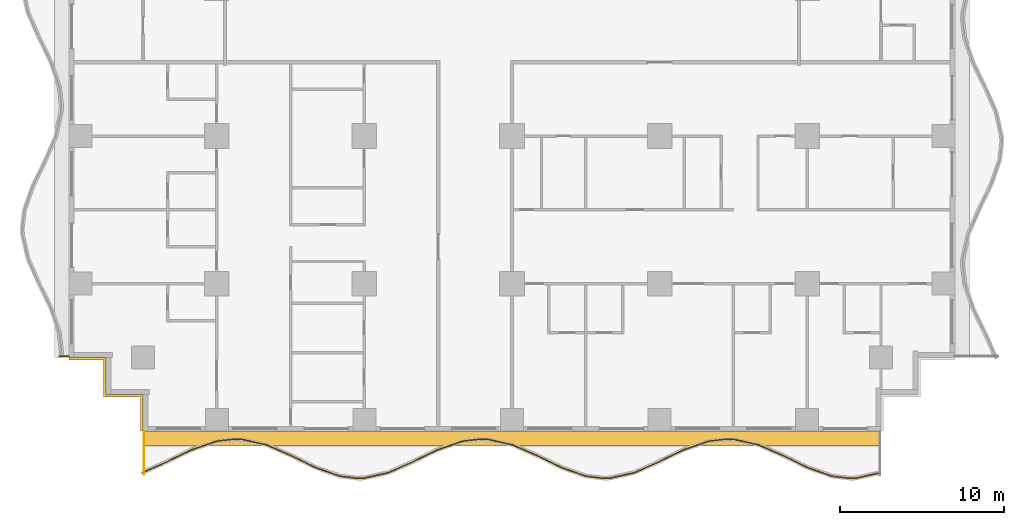
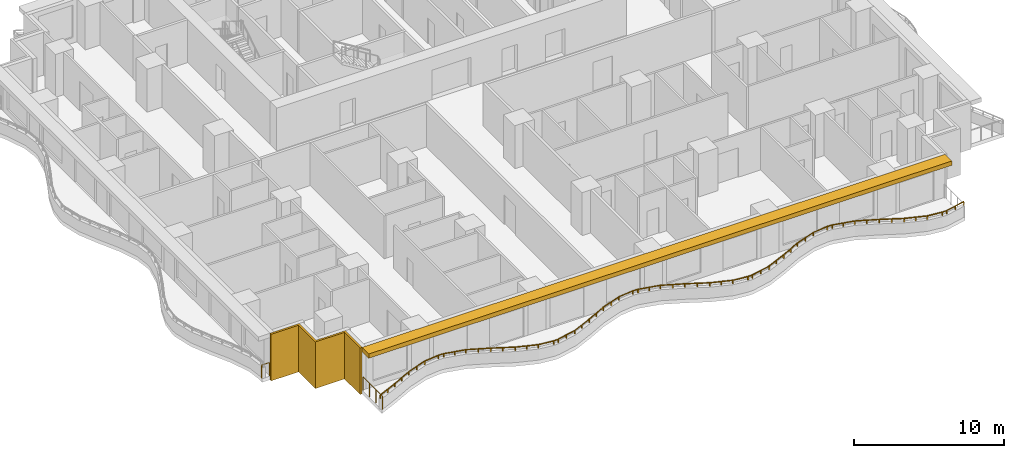
# One storey, part 8 of 14: 3 railings, 2 shading devices.
"""IFC4 building model written with IfcOpenShell, lengths in metres."""

from ifc_helpers import new_model, si_unit, direction, frame, origin, origin_2d, place, context, subcontext, project, spatial, polyline, rectangle, outline, extrude, material, layer, layer_set, type_object, element, save


model = new_model("IFC4")

# Units and contexts
model_context = context("Model", 3, precision=1e-05, world=origin(), true_north=direction((0.0, 1.0)))
body_context = subcontext(model_context, "Body", "Model", "MODEL_VIEW")
ifc_project = project(units=[si_unit("LENGTHUNIT", "METRE"), si_unit("AREAUNIT", "SQUARE_METRE"), si_unit("VOLUMEUNIT", "CUBIC_METRE"), si_unit("PLANEANGLEUNIT", "RADIAN"), si_unit("MASSUNIT", "GRAM", prefix="KILO")], contexts=[model_context])

# Site, building, storey
site_placement = place(None, origin())
site = spatial("IfcSite", under=ifc_project, at=site_placement, CompositionType="ELEMENT")
building_placement = place(site_placement, origin())
building = spatial("IfcBuilding", under=site, at=building_placement, Name="Orbiselva Terraces", CompositionType="ELEMENT")
storey_placement = place(building_placement, frame((0.0, 0.0, 56.8)))
storey = spatial("IfcBuildingStorey", under=building, at=storey_placement, Name="L14", CompositionType="ELEMENT", Elevation=56.8)

# Railings
ifc_material_1 = material(Name="Bonded two-ply safety glass balustrade, stainless steel posts", Category="steel")
railing_type_1 = type_object("IfcRailingType", Name="ENV-BALUSTRADE-1200", PredefinedType="BALUSTRADE", material=ifc_material_1)
railing_1_placement = place(storey_placement, frame((-22.550394, -25.034136, 0.9)))
element("IfcRailing", 1, at=railing_1_placement, inside=storey, type_object=railing_type_1, Name="Balcony balustrade L14 S", PredefinedType="BALUSTRADE", context=body_context, shape_type="SweptSolid", body=[
    extrude(outline(polyline([(0.028868, 0.0), (0.014434, 0.025), (-0.014434, 0.025), (-0.028868, 0.0), (-0.014434, -0.025), (0.014434, -0.025), (0.028868, 0.0)])), frame((0.0, 0.0, 0.275), z_axis=(0.915133498047, 0.403150940408, 0.0), x_axis=(-0.403150940408, 0.915133498047, 0.0)), (0.0, 0.0, 1.0), 1.636648),
    extrude(outline(polyline([(0.028868, 0.0), (0.014434, 0.025), (-0.014434, 0.025), (-0.028868, 0.0), (-0.014434, -0.025), (0.014434, -0.025), (0.028868, 0.0)])), frame((1.497751, 0.659816, 0.275), z_axis=(0.898578870221, 0.438812048596, 0.0), x_axis=(-0.438812048596, 0.898578870221, 0.0)), (0.0, 0.0, 1.0), 1.674225),
    extrude(outline(polyline([(0.028868, 0.0), (0.014434, 0.025), (-0.014434, 0.025), (-0.028868, 0.0), (-0.014434, -0.025), (0.014434, -0.025), (0.028868, 0.0)])), frame((3.002174, 1.394486, 0.275), z_axis=(0.943972332783, 0.330024597479, 0.0), x_axis=(-0.330024597479, 0.943972332783, 0.0)), (0.0, 0.0, 1.0), 1.610253),
    extrude(outline(polyline([(0.028868, 0.0), (0.014434, 0.025), (-0.014434, 0.025), (-0.028868, 0.0), (-0.014434, -0.025), (0.014434, -0.025), (0.028868, 0.0)])), frame((4.522208, 1.925909, 0.275), z_axis=(0.993309551734, 0.115482182324, 0.0), x_axis=(-0.115482182324, 0.993309551734, 0.0)), (0.0, 0.0, 1.0), 1.156135),
    extrude(outline(polyline([(0.028868, 0.0), (0.014434, 0.025), (-0.014434, 0.025), (-0.028868, 0.0), (-0.014434, -0.025), (0.014434, -0.025), (0.028868, 0.0)])), frame((5.670608, 2.059422, 0.275), z_axis=(0.999224734286, -0.03936915532, 0.0), x_axis=(0.03936915532, 0.999224734286, 0.0)), (0.0, 0.0, 1.0), 0.396376),
    extrude(outline(polyline([(0.028868, 0.0), (0.014434, 0.025), (-0.014434, 0.025), (-0.028868, 0.0), (-0.014434, -0.025), (0.014434, -0.025), (0.028868, 0.0)])), frame((6.066677, 2.043817, 0.275), z_axis=(0.97572137947, -0.219015500924, 0.0), x_axis=(0.219015500924, 0.97572137947, 0.0)), (0.0, 0.0, 1.0), 1.560867),
    extrude(outline(polyline([(0.028868, 0.0), (0.014434, 0.025), (-0.014434, 0.025), (-0.028868, 0.0), (-0.014434, -0.025), (0.014434, -0.025), (0.028868, 0.0)])), frame((7.589648, 1.701963, 0.275), z_axis=(0.915133527237, -0.403150874148, 0.0), x_axis=(0.403150874148, 0.915133527237, 0.0)), (0.0, 0.0, 1.0), 1.653736),
    extrude(outline(polyline([(0.028868, 0.0), (0.014434, 0.025), (-0.014434, 0.025), (-0.028868, 0.0), (-0.014434, -0.025), (0.014434, -0.025), (0.028868, 0.0)])), frame((9.103037, 1.035258, 0.275), z_axis=(0.89857890432, -0.438811978768, 0.0), x_axis=(0.438811978768, 0.89857890432, 0.0)), (0.0, 0.0, 1.0), 1.66438),
    extrude(outline(polyline([(0.028868, 0.0), (0.014434, 0.025), (-0.014434, 0.025), (-0.028868, 0.0), (-0.014434, -0.025), (0.014434, -0.025), (0.028868, 0.0)])), frame((10.598614, 0.304908, 0.275), z_axis=(0.943972277814, -0.330024754707, 0.0), x_axis=(0.330024754707, 0.943972277814, 0.0)), (0.0, 0.0, 1.0), 1.567807),
    extrude(outline(polyline([(0.028868, 0.0), (0.014434, 0.025), (-0.014434, 0.025), (-0.028868, 0.0), (-0.014434, -0.025), (0.014434, -0.025), (0.028868, 0.0)])), frame((12.07858, -0.212507, 0.275), z_axis=(0.993309658409, -0.115481264762, 0.0), x_axis=(0.115481264762, 0.993309658409, 0.0)), (0.0, 0.0, 1.0), 1.10902),
    extrude(outline(polyline([(0.028868, 0.0), (0.014434, 0.025), (-0.014434, 0.025), (-0.028868, 0.0), (-0.014434, -0.025), (0.014434, -0.025), (0.028868, 0.0)])), frame((13.18018, -0.340578, 0.275), z_axis=(0.999224931454, 0.039364150694, 0.0), x_axis=(-0.039364150694, 0.999224931454, 0.0)), (0.0, 0.0, 1.0), 0.354206),
    extrude(outline(polyline([(0.028868, 0.0), (0.014434, 0.025), (-0.014434, 0.025), (-0.028868, 0.0), (-0.014434, -0.025), (0.014434, -0.025), (0.028868, 0.0)])), frame((13.534111, -0.326635, 0.275), z_axis=(0.975721325753, 0.219015740235, 0.0), x_axis=(-0.219015740235, 0.975721325753, 0.0)), (0.0, 0.0, 1.0), 1.513782),
    extrude(outline(polyline([(0.028868, 0.0), (0.014434, 0.025), (-0.014434, 0.025), (-0.028868, 0.0), (-0.014434, -0.025), (0.014434, -0.025), (0.028868, 0.0)])), frame((15.01114, 0.004907, 0.275), z_axis=(0.915133363686, 0.403151245402, 0.0), x_axis=(-0.403151245402, 0.915133363686, 0.0)), (0.0, 0.0, 1.0), 1.624475),
    extrude(outline(polyline([(0.028868, 0.0), (0.014434, 0.025), (-0.014434, 0.025), (-0.028868, 0.0), (-0.014434, -0.025), (0.014434, -0.025), (0.028868, 0.0)])), frame((16.497751, 0.659816, 0.275), z_axis=(0.898578870221, 0.438812048596, 0.0), x_axis=(-0.438812048596, 0.898578870221, 0.0)), (0.0, 0.0, 1.0), 1.674225),
    extrude(outline(polyline([(0.028868, 0.0), (0.014434, 0.025), (-0.014434, 0.025), (-0.028868, 0.0), (-0.014434, -0.025), (0.014434, -0.025), (0.028868, 0.0)])), frame((18.002174, 1.394486, 0.275), z_axis=(0.943972332783, 0.330024597479, 0.0), x_axis=(-0.330024597479, 0.943972332783, 0.0)), (0.0, 0.0, 1.0), 1.610253),
    extrude(outline(polyline([(0.028868, 0.0), (0.014434, 0.025), (-0.014434, 0.025), (-0.028868, 0.0), (-0.014434, -0.025), (0.014434, -0.025), (0.028868, 0.0)])), frame((19.522208, 1.925909, 0.275), z_axis=(0.993309551734, 0.115482182324, 0.0), x_axis=(-0.115482182324, 0.993309551734, 0.0)), (0.0, 0.0, 1.0), 1.156135),
    extrude(outline(polyline([(0.028868, 0.0), (0.014434, 0.025), (-0.014434, 0.025), (-0.028868, 0.0), (-0.014434, -0.025), (0.014434, -0.025), (0.028868, 0.0)])), frame((20.670608, 2.059422, 0.275), z_axis=(0.999224734286, -0.03936915532, 0.0), x_axis=(0.03936915532, 0.999224734286, 0.0)), (0.0, 0.0, 1.0), 0.396376),
    extrude(outline(polyline([(0.028868, 0.0), (0.014434, 0.025), (-0.014434, 0.025), (-0.028868, 0.0), (-0.014434, -0.025), (0.014434, -0.025), (0.028868, 0.0)])), frame((21.066677, 2.043817, 0.275), z_axis=(0.97572137947, -0.219015500924, 0.0), x_axis=(0.219015500924, 0.97572137947, 0.0)), (0.0, 0.0, 1.0), 1.560867),
    extrude(outline(polyline([(0.028868, 0.0), (0.014434, 0.025), (-0.014434, 0.025), (-0.028868, 0.0), (-0.014434, -0.025), (0.014434, -0.025), (0.028868, 0.0)])), frame((22.589648, 1.701963, 0.275), z_axis=(0.915133527237, -0.403150874148, 0.0), x_axis=(0.403150874148, 0.915133527237, 0.0)), (0.0, 0.0, 1.0), 1.653736),
    extrude(outline(polyline([(0.028868, 0.0), (0.014434, 0.025), (-0.014434, 0.025), (-0.028868, 0.0), (-0.014434, -0.025), (0.014434, -0.025), (0.028868, 0.0)])), frame((24.103037, 1.035258, 0.275), z_axis=(0.89857890432, -0.438811978768, 0.0), x_axis=(0.438811978768, 0.89857890432, 0.0)), (0.0, 0.0, 1.0), 1.66438),
    extrude(outline(polyline([(0.028868, 0.0), (0.014434, 0.025), (-0.014434, 0.025), (-0.028868, 0.0), (-0.014434, -0.025), (0.014434, -0.025), (0.028868, 0.0)])), frame((25.598614, 0.304908, 0.275), z_axis=(0.943972277814, -0.330024754707, 0.0), x_axis=(0.330024754707, 0.943972277814, 0.0)), (0.0, 0.0, 1.0), 1.567807),
    extrude(outline(polyline([(0.028868, 0.0), (0.014434, 0.025), (-0.014434, 0.025), (-0.028868, 0.0), (-0.014434, -0.025), (0.014434, -0.025), (0.028868, 0.0)])), frame((27.07858, -0.212507, 0.275), z_axis=(0.993309658409, -0.115481264762, 0.0), x_axis=(0.115481264762, 0.993309658409, 0.0)), (0.0, 0.0, 1.0), 1.10902),
    extrude(outline(polyline([(0.028868, 0.0), (0.014434, 0.025), (-0.014434, 0.025), (-0.028868, 0.0), (-0.014434, -0.025), (0.014434, -0.025), (0.028868, 0.0)])), frame((28.18018, -0.340578, 0.275), z_axis=(0.999224931454, 0.039364150694, 0.0), x_axis=(-0.039364150694, 0.999224931454, 0.0)), (0.0, 0.0, 1.0), 0.354206),
    extrude(outline(polyline([(0.028868, 0.0), (0.014434, 0.025), (-0.014434, 0.025), (-0.028868, 0.0), (-0.014434, -0.025), (0.014434, -0.025), (0.028868, 0.0)])), frame((28.534111, -0.326635, 0.275), z_axis=(0.975721325753, 0.219015740235, 0.0), x_axis=(-0.219015740235, 0.975721325753, 0.0)), (0.0, 0.0, 1.0), 1.513782),
    extrude(outline(polyline([(0.028868, 0.0), (0.014434, 0.025), (-0.014434, 0.025), (-0.028868, 0.0), (-0.014434, -0.025), (0.014434, -0.025), (0.028868, 0.0)])), frame((30.01114, 0.004907, 0.275), z_axis=(0.915133363686, 0.403151245402, 0.0), x_axis=(-0.403151245402, 0.915133363686, 0.0)), (0.0, 0.0, 1.0), 1.624475),
    extrude(outline(polyline([(0.028868, 0.0), (0.014434, 0.025), (-0.014434, 0.025), (-0.028868, 0.0), (-0.014434, -0.025), (0.014434, -0.025), (0.028868, 0.0)])), frame((31.497751, 0.659816, 0.275), z_axis=(0.898578870221, 0.438812048596, 0.0), x_axis=(-0.438812048596, 0.898578870221, 0.0)), (0.0, 0.0, 1.0), 1.674225),
    extrude(outline(polyline([(0.028868, 0.0), (0.014434, 0.025), (-0.014434, 0.025), (-0.028868, 0.0), (-0.014434, -0.025), (0.014434, -0.025), (0.028868, 0.0)])), frame((33.002174, 1.394486, 0.275), z_axis=(0.943972332783, 0.330024597479, 0.0), x_axis=(-0.330024597479, 0.943972332783, 0.0)), (0.0, 0.0, 1.0), 1.610253),
    extrude(outline(polyline([(0.028868, 0.0), (0.014434, 0.025), (-0.014434, 0.025), (-0.028868, 0.0), (-0.014434, -0.025), (0.014434, -0.025), (0.028868, 0.0)])), frame((34.522208, 1.925909, 0.275), z_axis=(0.993309551734, 0.115482182324, 0.0), x_axis=(-0.115482182324, 0.993309551734, 0.0)), (0.0, 0.0, 1.0), 1.156135),
    extrude(outline(polyline([(0.028868, 0.0), (0.014434, 0.025), (-0.014434, 0.025), (-0.028868, 0.0), (-0.014434, -0.025), (0.014434, -0.025), (0.028868, 0.0)])), frame((35.670608, 2.059422, 0.275), z_axis=(0.999224734286, -0.03936915532, 0.0), x_axis=(0.03936915532, 0.999224734286, 0.0)), (0.0, 0.0, 1.0), 0.396376),
    extrude(outline(polyline([(0.028868, 0.0), (0.014434, 0.025), (-0.014434, 0.025), (-0.028868, 0.0), (-0.014434, -0.025), (0.014434, -0.025), (0.028868, 0.0)])), frame((36.066677, 2.043817, 0.275), z_axis=(0.97572137947, -0.219015500924, 0.0), x_axis=(0.219015500924, 0.97572137947, 0.0)), (0.0, 0.0, 1.0), 1.560867),
    extrude(outline(polyline([(0.028868, 0.0), (0.014434, 0.025), (-0.014434, 0.025), (-0.028868, 0.0), (-0.014434, -0.025), (0.014434, -0.025), (0.028868, 0.0)])), frame((37.589648, 1.701963, 0.275), z_axis=(0.915133527237, -0.403150874148, 0.0), x_axis=(0.403150874148, 0.915133527237, 0.0)), (0.0, 0.0, 1.0), 1.653736),
    extrude(outline(polyline([(0.028868, 0.0), (0.014434, 0.025), (-0.014434, 0.025), (-0.028868, 0.0), (-0.014434, -0.025), (0.014434, -0.025), (0.028868, 0.0)])), frame((39.103037, 1.035258, 0.275), z_axis=(0.89857890432, -0.438811978768, 0.0), x_axis=(0.438811978768, 0.89857890432, 0.0)), (0.0, 0.0, 1.0), 1.66438),
    extrude(outline(polyline([(0.028868, 0.0), (0.014434, 0.025), (-0.014434, 0.025), (-0.028868, 0.0), (-0.014434, -0.025), (0.014434, -0.025), (0.028868, 0.0)])), frame((40.598614, 0.304908, 0.275), z_axis=(0.943972277814, -0.330024754707, 0.0), x_axis=(0.330024754707, 0.943972277814, 0.0)), (0.0, 0.0, 1.0), 1.567807),
    extrude(outline(polyline([(0.028868, 0.0), (0.014434, 0.025), (-0.014434, 0.025), (-0.028868, 0.0), (-0.014434, -0.025), (0.014434, -0.025), (0.028868, 0.0)])), frame((42.07858, -0.212507, 0.275), z_axis=(0.993309658409, -0.115481264762, 0.0), x_axis=(0.115481264762, 0.993309658409, 0.0)), (0.0, 0.0, 1.0), 1.10902),
    extrude(outline(polyline([(0.028868, 0.0), (0.014434, 0.025), (-0.014434, 0.025), (-0.028868, 0.0), (-0.014434, -0.025), (0.014434, -0.025), (0.028868, 0.0)])), frame((43.18018, -0.340578, 0.275), z_axis=(0.999224931454, 0.039364150694, 0.0), x_axis=(-0.039364150694, 0.999224931454, 0.0)), (0.0, 0.0, 1.0), 0.354206),
    extrude(outline(polyline([(0.028868, 0.0), (0.014434, 0.025), (-0.014434, 0.025), (-0.028868, 0.0), (-0.014434, -0.025), (0.014434, -0.025), (0.028868, 0.0)])), frame((43.534111, -0.326635, 0.275), z_axis=(0.975721322437, 0.21901575501, 0.0), x_axis=(-0.21901575501, 0.975721322437, 0.0)), (0.0, 0.0, 1.0), 1.525954),
    extrude(rectangle(XDim=0.05, YDim=0.05, at=origin_2d()), origin(), (0.0, 0.0, 1.0), 0.25),
    extrude(rectangle(XDim=0.05, YDim=0.05, at=origin_2d()), frame((0.748876, 0.329908, 0.0)), (0.0, 0.0, 1.0), 0.25),
    extrude(rectangle(XDim=0.05, YDim=0.05, at=origin_2d()), frame((1.497751, 0.659816, 0.0)), (0.0, 0.0, 1.0), 0.25),
    extrude(rectangle(XDim=0.05, YDim=0.05, at=origin_2d()), frame((2.249963, 1.027151, 0.0)), (0.0, 0.0, 1.0), 0.25),
    extrude(rectangle(XDim=0.05, YDim=0.05, at=origin_2d()), frame((3.002174, 1.394486, 0.0)), (0.0, 0.0, 1.0), 0.25),
    extrude(rectangle(XDim=0.05, YDim=0.05, at=origin_2d()), frame((3.762191, 1.660198, 0.0)), (0.0, 0.0, 1.0), 0.25),
    extrude(rectangle(XDim=0.05, YDim=0.05, at=origin_2d()), frame((4.522208, 1.925909, 0.0)), (0.0, 0.0, 1.0), 0.25),
    extrude(rectangle(XDim=0.05, YDim=0.05, at=origin_2d()), frame((5.670608, 2.059422, 0.0)), (0.0, 0.0, 1.0), 0.25),
    extrude(rectangle(XDim=0.05, YDim=0.05, at=origin_2d()), frame((6.066677, 2.043817, 0.0)), (0.0, 0.0, 1.0), 0.25),
    extrude(rectangle(XDim=0.05, YDim=0.05, at=origin_2d()), frame((6.828163, 1.87289, 0.0)), (0.0, 0.0, 1.0), 0.25),
    extrude(rectangle(XDim=0.05, YDim=0.05, at=origin_2d()), frame((7.589648, 1.701963, 0.0)), (0.0, 0.0, 1.0), 0.25),
    extrude(rectangle(XDim=0.05, YDim=0.05, at=origin_2d()), frame((8.346342, 1.36861, 0.0)), (0.0, 0.0, 1.0), 0.25),
    extrude(rectangle(XDim=0.05, YDim=0.05, at=origin_2d()), frame((9.103037, 1.035258, 0.0)), (0.0, 0.0, 1.0), 0.25),
    extrude(rectangle(XDim=0.05, YDim=0.05, at=origin_2d()), frame((9.850826, 0.670083, 0.0)), (0.0, 0.0, 1.0), 0.25),
    extrude(rectangle(XDim=0.05, YDim=0.05, at=origin_2d()), frame((10.598614, 0.304908, 0.0)), (0.0, 0.0, 1.0), 0.25),
    extrude(rectangle(XDim=0.05, YDim=0.05, at=origin_2d()), frame((11.338597, 0.046201, 0.0)), (0.0, 0.0, 1.0), 0.25),
    extrude(rectangle(XDim=0.05, YDim=0.05, at=origin_2d()), frame((12.07858, -0.212507, 0.0)), (0.0, 0.0, 1.0), 0.25),
    extrude(rectangle(XDim=0.05, YDim=0.05, at=origin_2d()), frame((13.18018, -0.340578, 0.0)), (0.0, 0.0, 1.0), 0.25),
    extrude(rectangle(XDim=0.05, YDim=0.05, at=origin_2d()), frame((13.534111, -0.326635, 0.0)), (0.0, 0.0, 1.0), 0.25),
    extrude(rectangle(XDim=0.05, YDim=0.05, at=origin_2d()), frame((14.272626, -0.160864, 0.0)), (0.0, 0.0, 1.0), 0.25),
    extrude(rectangle(XDim=0.05, YDim=0.05, at=origin_2d()), frame((15.01114, 0.004907, 0.0)), (0.0, 0.0, 1.0), 0.25),
    extrude(rectangle(XDim=0.05, YDim=0.05, at=origin_2d()), frame((15.754446, 0.332361, 0.0)), (0.0, 0.0, 1.0), 0.25),
    extrude(rectangle(XDim=0.05, YDim=0.05, at=origin_2d()), frame((16.497751, 0.659816, 0.0)), (0.0, 0.0, 1.0), 0.25),
    extrude(rectangle(XDim=0.05, YDim=0.05, at=origin_2d()), frame((17.249963, 1.027151, 0.0)), (0.0, 0.0, 1.0), 0.25),
    extrude(rectangle(XDim=0.05, YDim=0.05, at=origin_2d()), frame((18.002174, 1.394486, 0.0)), (0.0, 0.0, 1.0), 0.25),
    extrude(rectangle(XDim=0.05, YDim=0.05, at=origin_2d()), frame((18.762191, 1.660198, 0.0)), (0.0, 0.0, 1.0), 0.25),
    extrude(rectangle(XDim=0.05, YDim=0.05, at=origin_2d()), frame((19.522208, 1.925909, 0.0)), (0.0, 0.0, 1.0), 0.25),
    extrude(rectangle(XDim=0.05, YDim=0.05, at=origin_2d()), frame((20.670608, 2.059422, 0.0)), (0.0, 0.0, 1.0), 0.25),
    extrude(rectangle(XDim=0.05, YDim=0.05, at=origin_2d()), frame((21.066677, 2.043817, 0.0)), (0.0, 0.0, 1.0), 0.25),
    extrude(rectangle(XDim=0.05, YDim=0.05, at=origin_2d()), frame((21.828162, 1.87289, 0.0)), (0.0, 0.0, 1.0), 0.25),
    extrude(rectangle(XDim=0.05, YDim=0.05, at=origin_2d()), frame((22.589648, 1.701963, 0.0)), (0.0, 0.0, 1.0), 0.25),
    extrude(rectangle(XDim=0.05, YDim=0.05, at=origin_2d()), frame((23.346342, 1.36861, 0.0)), (0.0, 0.0, 1.0), 0.25),
    extrude(rectangle(XDim=0.05, YDim=0.05, at=origin_2d()), frame((24.103037, 1.035258, 0.0)), (0.0, 0.0, 1.0), 0.25),
    extrude(rectangle(XDim=0.05, YDim=0.05, at=origin_2d()), frame((24.850826, 0.670083, 0.0)), (0.0, 0.0, 1.0), 0.25),
    extrude(rectangle(XDim=0.05, YDim=0.05, at=origin_2d()), frame((25.598614, 0.304908, 0.0)), (0.0, 0.0, 1.0), 0.25),
    extrude(rectangle(XDim=0.05, YDim=0.05, at=origin_2d()), frame((26.338597, 0.046201, 0.0)), (0.0, 0.0, 1.0), 0.25),
    extrude(rectangle(XDim=0.05, YDim=0.05, at=origin_2d()), frame((27.07858, -0.212507, 0.0)), (0.0, 0.0, 1.0), 0.25),
    extrude(rectangle(XDim=0.05, YDim=0.05, at=origin_2d()), frame((28.18018, -0.340578, 0.0)), (0.0, 0.0, 1.0), 0.25),
    extrude(rectangle(XDim=0.05, YDim=0.05, at=origin_2d()), frame((28.534111, -0.326635, 0.0)), (0.0, 0.0, 1.0), 0.25),
    extrude(rectangle(XDim=0.05, YDim=0.05, at=origin_2d()), frame((29.272626, -0.160864, 0.0)), (0.0, 0.0, 1.0), 0.25),
    extrude(rectangle(XDim=0.05, YDim=0.05, at=origin_2d()), frame((30.01114, 0.004907, 0.0)), (0.0, 0.0, 1.0), 0.25),
    extrude(rectangle(XDim=0.05, YDim=0.05, at=origin_2d()), frame((30.754446, 0.332361, 0.0)), (0.0, 0.0, 1.0), 0.25),
    extrude(rectangle(XDim=0.05, YDim=0.05, at=origin_2d()), frame((31.497751, 0.659816, 0.0)), (0.0, 0.0, 1.0), 0.25),
    extrude(rectangle(XDim=0.05, YDim=0.05, at=origin_2d()), frame((32.249962, 1.027151, 0.0)), (0.0, 0.0, 1.0), 0.25),
    extrude(rectangle(XDim=0.05, YDim=0.05, at=origin_2d()), frame((33.002174, 1.394486, 0.0)), (0.0, 0.0, 1.0), 0.25),
    extrude(rectangle(XDim=0.05, YDim=0.05, at=origin_2d()), frame((33.762191, 1.660198, 0.0)), (0.0, 0.0, 1.0), 0.25),
    extrude(rectangle(XDim=0.05, YDim=0.05, at=origin_2d()), frame((34.522208, 1.925909, 0.0)), (0.0, 0.0, 1.0), 0.25),
    extrude(rectangle(XDim=0.05, YDim=0.05, at=origin_2d()), frame((35.670608, 2.059422, 0.0)), (0.0, 0.0, 1.0), 0.25),
    extrude(rectangle(XDim=0.05, YDim=0.05, at=origin_2d()), frame((36.066677, 2.043817, 0.0)), (0.0, 0.0, 1.0), 0.25),
    extrude(rectangle(XDim=0.05, YDim=0.05, at=origin_2d()), frame((36.828162, 1.87289, 0.0)), (0.0, 0.0, 1.0), 0.25),
    extrude(rectangle(XDim=0.05, YDim=0.05, at=origin_2d()), frame((37.589648, 1.701963, 0.0)), (0.0, 0.0, 1.0), 0.25),
    extrude(rectangle(XDim=0.05, YDim=0.05, at=origin_2d()), frame((38.346342, 1.36861, 0.0)), (0.0, 0.0, 1.0), 0.25),
    extrude(rectangle(XDim=0.05, YDim=0.05, at=origin_2d()), frame((39.103037, 1.035258, 0.0)), (0.0, 0.0, 1.0), 0.25),
    extrude(rectangle(XDim=0.05, YDim=0.05, at=origin_2d()), frame((39.850826, 0.670083, 0.0)), (0.0, 0.0, 1.0), 0.25),
    extrude(rectangle(XDim=0.05, YDim=0.05, at=origin_2d()), frame((40.598614, 0.304908, 0.0)), (0.0, 0.0, 1.0), 0.25),
    extrude(rectangle(XDim=0.05, YDim=0.05, at=origin_2d()), frame((41.338597, 0.046201, 0.0)), (0.0, 0.0, 1.0), 0.25),
    extrude(rectangle(XDim=0.05, YDim=0.05, at=origin_2d()), frame((42.07858, -0.212507, 0.0)), (0.0, 0.0, 1.0), 0.25),
    extrude(rectangle(XDim=0.05, YDim=0.05, at=origin_2d()), frame((43.18018, -0.340578, 0.0)), (0.0, 0.0, 1.0), 0.25),
    extrude(rectangle(XDim=0.05, YDim=0.05, at=origin_2d()), frame((43.534111, -0.326635, 0.0)), (0.0, 0.0, 1.0), 0.25),
    extrude(rectangle(XDim=0.05, YDim=0.05, at=origin_2d()), frame((44.278564, -0.159531, 0.0)), (0.0, 0.0, 1.0), 0.25),
    extrude(rectangle(XDim=0.05, YDim=0.05, at=origin_2d()), frame((45.023017, 0.007573, 0.0)), (0.0, 0.0, 1.0), 0.25),
])
ifc_material_2 = material(Name="Stainless steel rail and posts", Category="steel")
railing_type_2 = type_object("IfcRailingType", Name="ENV-GUARD-1105", PredefinedType="BALUSTRADE", material=ifc_material_2)
railing_2_placement = place(storey_placement, frame((-22.44, -25.126937, 0.0)))
element("IfcRailing", 2, at=railing_2_placement, inside=storey, type_object=railing_type_2, Name="Balcony end guard L14 S", PredefinedType="BALUSTRADE", context=body_context, shape_type="SweptSolid", body=[
    extrude(outline(polyline([(0.028868, 0.0), (0.014434, 0.025), (-0.014434, 0.025), (-0.028868, 0.0), (-0.014434, -0.025), (0.014434, -0.025), (0.028868, 0.0)])), frame((0.0, 0.0, 1.08), z_axis=(0.0, 1.0, 0.0), x_axis=(-1.0, 0.0, 0.0)), (0.0, 0.0, 1.0), 2.601937),
    extrude(rectangle(XDim=0.05, YDim=0.05, at=origin_2d()), origin(), (0.0, 0.0, 1.0), 1.055),
    extrude(rectangle(XDim=0.05, YDim=0.05, at=origin_2d()), frame((0.0, 0.867312, 0.0)), (0.0, 0.0, 1.0), 1.055),
    extrude(rectangle(XDim=0.05, YDim=0.05, at=origin_2d()), frame((0.0, 1.734625, 0.0)), (0.0, 0.0, 1.0), 1.055),
    extrude(rectangle(XDim=0.05, YDim=0.05, at=origin_2d()), frame((0.0, 2.601937, 0.0)), (0.0, 0.0, 1.0), 1.055),
])
railing_3_placement = place(storey_placement, frame((-27.610431, -17.94, 0.0)))
element("IfcRailing", 3, at=railing_3_placement, inside=storey, type_object=railing_type_2, Name="Balcony end guard L14 W", PredefinedType="BALUSTRADE", context=body_context, shape_type="SweptSolid", body=[
    extrude(outline(polyline([(0.028868, 0.0), (0.014434, 0.025), (-0.014434, 0.025), (-0.028868, 0.0), (-0.014434, -0.025), (0.014434, -0.025), (0.028868, 0.0)])), frame((0.0, 0.0, 1.08), z_axis=(1.0, 0.0, 0.0), x_axis=(0.0, 1.0, 0.0)), (0.0, 0.0, 1.0), 0.585431),
    extrude(rectangle(XDim=0.05, YDim=0.05, at=origin_2d()), origin(), (0.0, 0.0, 1.0), 1.055),
    extrude(rectangle(XDim=0.05, YDim=0.05, at=origin_2d()), frame((0.585431, 0.0, 0.0)), (0.0, 0.0, 1.0), 1.055),
])

# Shading devices
ifc_material_3 = material(Name="Terracotta louvre screen", Category="masonry")
ifc_layer_1 = layer(ifc_material_3, 0.15)
ifc_layer_set_1 = layer_set([ifc_layer_1], Name="Terracotta louvre screen")
shading_device_type_1 = type_object("IfcShadingDeviceType", Name="ENV-SCREEN-150", PredefinedType="USERDEFINED", material=ifc_layer_set_1)
shading_device_1_placement = place(storey_placement, frame((0.0, 0.0, -0.3)))
element("IfcShadingDevice", 4, at=shading_device_1_placement, inside=storey, type_object=shading_device_type_1, Name="Louvre screen L14 SW", ObjectType="SCREEN", PredefinedType="USERDEFINED", context=body_context, shape_type="SweptSolid", body=[
    extrude(outline(polyline([(-27.0, -18.15), (-24.9, -18.15), (-24.9, -20.4), (-22.65, -20.4), (-22.65, -22.5), (-22.5, -22.5), (-22.5, -20.25), (-24.75, -20.25), (-24.75, -18.0), (-27.0, -18.0), (-27.0, -18.15)])), origin(), (0.0, 0.0, 1.0), 3.8),
])
ifc_material_4 = material(Name="Terracotta baguette sunshade", Category="masonry")
ifc_layer_2 = layer(ifc_material_4, 0.35)
ifc_layer_set_2 = layer_set([ifc_layer_2], Name="Terracotta baguette sunshade")
shading_device_type_2 = type_object("IfcShadingDeviceType", Name="ENV-SUNSHADE-900x350", PredefinedType="USERDEFINED", material=ifc_layer_set_2)
shading_device_2_placement = place(storey_placement, frame((0.0, 0.0, 3.15)))
element("IfcShadingDevice", 5, at=shading_device_2_placement, inside=storey, type_object=shading_device_type_2, Name="Sunshade band L14 S", ObjectType="SUNSHADE", PredefinedType="USERDEFINED", context=body_context, shape_type="SweptSolid", body=[
    extrude(outline(polyline([(-22.5, -23.4), (22.5, -23.4), (22.5, -22.5), (-22.5, -22.5), (-22.5, -23.4)])), origin(), (0.0, 0.0, 1.0), 0.35),
])

save(model, "model.ifc")
